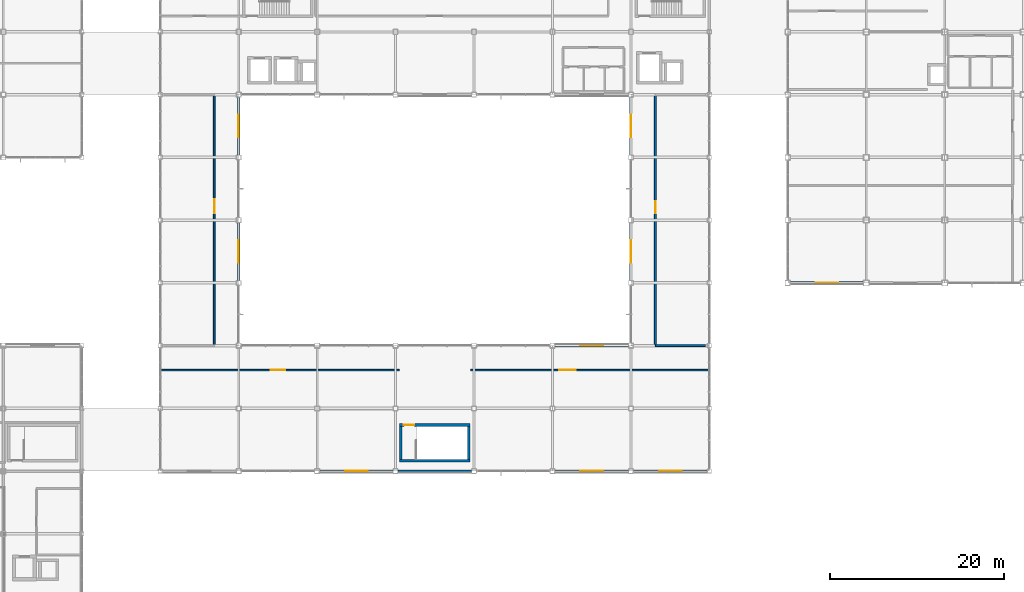
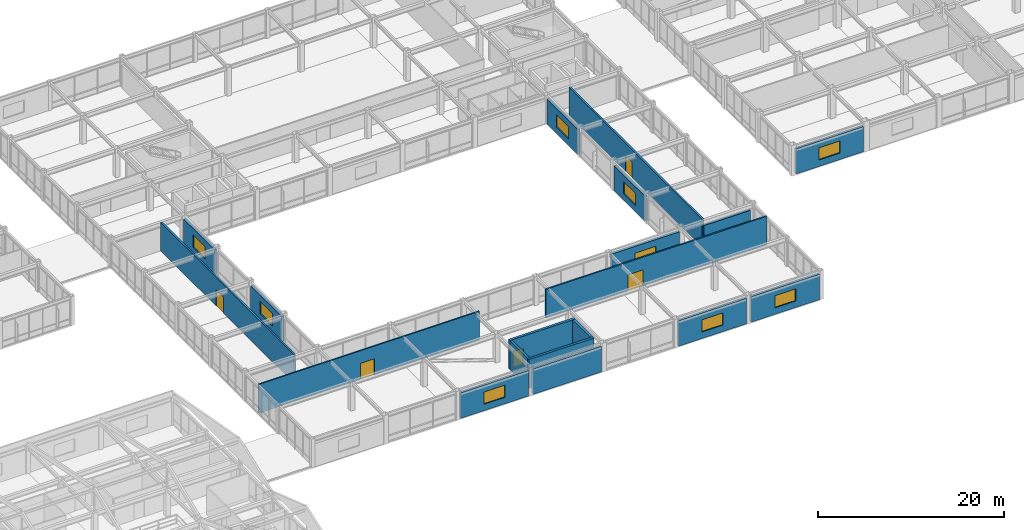
# One storey, part 94 of 113: 19 walls, 9 windows, 5 doors, 14 openings.
"""IFC4 building model written with IfcOpenShell, lengths in metres."""

from ifc_helpers import new_model, si_unit, direction, frame, frame_2d, origin, place, context, subcontext, project, spatial, rectangle, extrude, material, layer, layer_set, type_object, element, fill, save


model = new_model("IFC4")

# Units and contexts
model_context = context("Model", 3, precision=1e-05, world=origin(), true_north=direction((0.0, 1.0)))
body_context = subcontext(model_context, "Body", "Model", "MODEL_VIEW")
ifc_project = project(units=[si_unit("LENGTHUNIT", "METRE"), si_unit("AREAUNIT", "SQUARE_METRE"), si_unit("VOLUMEUNIT", "CUBIC_METRE"), si_unit("PLANEANGLEUNIT", "RADIAN"), si_unit("MASSUNIT", "GRAM", prefix="KILO")], contexts=[model_context])

# Site, building, storey
site_placement = place(None, origin())
site = spatial("IfcSite", under=ifc_project, at=site_placement, CompositionType="ELEMENT")
building_placement = place(site_placement, origin())
building = spatial("IfcBuilding", under=site, at=building_placement, Name="Kazanami Central Library", CompositionType="ELEMENT")
storey_placement = place(building_placement, frame((0.0, 0.0, 8.800048828125)))
storey = spatial("IfcBuildingStorey", under=building, at=storey_placement, Name="L03", CompositionType="ELEMENT", Elevation=8.800048828125)

# Wall, opening, window
ifc_material_1 = material(Name="Concrete Fc36 (36 MPa)", Category="concrete")
ifc_layer_1 = layer(ifc_material_1, 0.219970703125, Name="Concrete Fc36 (36 MPa)")
ifc_material_2 = material(Name="Extruded Polystyrene XPS", Category="earth")
ifc_layer_2 = layer(ifc_material_2, 0.050048828125, Name="Extruded Polystyrene XPS")
ifc_material_3 = material(Name="Honed Inada Granite", Category="masonry")
ifc_layer_3 = layer(ifc_material_3, 0.030029296875, Name="Honed Inada Granite")
ifc_layer_set_1 = layer_set([ifc_layer_1, ifc_layer_2, ifc_layer_3], Name="Concrete Fc36 (36 MPa)")
wall_type_1 = type_object("IfcWallType", Name="WAL-EW-300", PredefinedType="STANDARD", material=ifc_layer_set_1)
wall_1_placement = place(storey_placement, frame((54.0, 50.125, 0.0), z_axis=(0.0, 0.0, 1.0), x_axis=(0.0, -1.0, 0.0)))
wall_1 = element("IfcWall", 1, at=wall_1_placement, inside=storey, type_object=wall_type_1, Name="Exterior Facade Wall EW-300 L03 E-7-06", PredefinedType="STANDARD", context=body_context, shape_type="SweptSolid", body=[
    extrude(rectangle(XDim=6.64990234375, YDim=0.300048828125, at=frame_2d((3.324951171875, 0.0))), origin(), (0.0, 0.0, 1.0), 3.294921875),
])
opening_1_placement = place(wall_1_placement, frame((2.02490234375, 0.0, 0.85009765625)))
opening_1 = element("IfcOpeningElement", 2, at=opening_1_placement, cuts=wall_1, Name="Opening WN-13", PredefinedType="OPENING", context=body_context, shape_type="SweptSolid", body=[
    extrude(rectangle(XDim=2.60009765625, YDim=1.60009765625, at=frame_2d((1.300048828125, 0.800048828125))), frame((0.0, 0.162109375, 0.0), z_axis=(0.0, -1.0, 0.0), x_axis=(1.0, 0.0, 0.0)), (0.0, 0.0, 1.0), 0.323974609375),
])
ifc_material_4 = material(Name="Low-E Insulated Triple Glass", Category="glass")
window_type = type_object("IfcWindowType", Name="WIN-WN-13", PartitioningType="DOUBLE_PANEL_VERTICAL", PredefinedType="WINDOW", material=ifc_material_4)
window_1_placement = place(opening_1_placement, origin())
window_1 = element("IfcWindow", 3, at=window_1_placement, inside=storey, type_object=window_type, Name="Facade Window WN-13 L03 E-7-06", OverallHeight=1.60009765625, OverallWidth=2.60009765625, PartitioningType="DOUBLE_PANEL_VERTICAL", PredefinedType="WINDOW", context=body_context, shape_type="SweptSolid", body=[
    extrude(rectangle(XDim=2.60009765625, YDim=1.60009765625, at=frame_2d((1.300048828125, 0.800048828125))), frame((0.0, 0.030029296875, 0.0), z_axis=(0.0, -1.0, 0.0), x_axis=(1.0, 0.0, 0.0)), (0.0, 0.0, 1.0), 0.06005859375),
])
fill(opening_1, window_1)

wall_2_placement = place(storey_placement, frame((54.0, 64.52490234375, 0.0), z_axis=(0.0, 0.0, 1.0), x_axis=(0.0, -1.0, 0.0)))
wall_2 = element("IfcWall", 4, at=wall_2_placement, inside=storey, type_object=wall_type_1, Name="Exterior Facade Wall EW-300 L03 E-7-08", PredefinedType="STANDARD", context=body_context, shape_type="SweptSolid", body=[
    extrude(rectangle(XDim=6.64990234375, YDim=0.300048828125, at=frame_2d((3.324951171875, 0.0))), origin(), (0.0, 0.0, 1.0), 3.294921875),
])
opening_2_placement = place(wall_2_placement, frame((2.02490234375, 0.0, 0.85009765625)))
opening_2 = element("IfcOpeningElement", 5, at=opening_2_placement, cuts=wall_2, Name="Opening WN-13", PredefinedType="OPENING", context=body_context, shape_type="SweptSolid", body=[
    extrude(rectangle(XDim=2.60009765625, YDim=1.60009765625, at=frame_2d((1.300048828125, 0.800048828125))), frame((0.0, 0.162109375, 0.0), z_axis=(0.0, -1.0, 0.0), x_axis=(1.0, 0.0, 0.0)), (0.0, 0.0, 1.0), 0.323974609375),
])
window_2_placement = place(opening_2_placement, origin())
window_2 = element("IfcWindow", 6, at=window_2_placement, inside=storey, type_object=window_type, Name="Facade Window WN-13 L03 E-7-08", OverallHeight=1.60009765625, OverallWidth=2.60009765625, PartitioningType="DOUBLE_PANEL_VERTICAL", PredefinedType="WINDOW", context=body_context, shape_type="SweptSolid", body=[
    extrude(rectangle(XDim=2.60009765625, YDim=1.60009765625, at=frame_2d((1.300048828125, 0.800048828125))), frame((0.0, 0.030029296875, 0.0), z_axis=(0.0, -1.0, 0.0), x_axis=(1.0, 0.0, 0.0)), (0.0, 0.0, 1.0), 0.06005859375),
])
fill(opening_2, window_2)

wall_3_placement = place(storey_placement, frame((99.0, 43.47509765625, 0.0), z_axis=(0.0, 0.0, 1.0), x_axis=(0.0, 1.0, 0.0)))
wall_3 = element("IfcWall", 7, at=wall_3_placement, inside=storey, type_object=wall_type_1, Name="Exterior Facade Wall EW-300 L03 W-12-06", PredefinedType="STANDARD", context=body_context, shape_type="SweptSolid", body=[
    extrude(rectangle(XDim=6.64990234375, YDim=0.300048828125, at=frame_2d((3.324951171875, 0.0))), origin(), (0.0, 0.0, 1.0), 3.294921875),
])
opening_3_placement = place(wall_3_placement, frame((2.02490234375, 0.0, 0.85009765625)))
opening_3 = element("IfcOpeningElement", 8, at=opening_3_placement, cuts=wall_3, Name="Opening WN-13", PredefinedType="OPENING", context=body_context, shape_type="SweptSolid", body=[
    extrude(rectangle(XDim=2.60009765625, YDim=1.60009765625, at=frame_2d((1.300048828125, 0.800048828125))), frame((0.0, 0.162109375, 0.0), z_axis=(0.0, -1.0, 0.0), x_axis=(1.0, 0.0, 0.0)), (0.0, 0.0, 1.0), 0.323974609375),
])
window_3_placement = place(opening_3_placement, origin())
window_3 = element("IfcWindow", 9, at=window_3_placement, inside=storey, type_object=window_type, Name="Facade Window WN-13 L03 W-12-06", OverallHeight=1.60009765625, OverallWidth=2.60009765625, PartitioningType="DOUBLE_PANEL_VERTICAL", PredefinedType="WINDOW", context=body_context, shape_type="SweptSolid", body=[
    extrude(rectangle(XDim=2.60009765625, YDim=1.60009765625, at=frame_2d((1.300048828125, 0.800048828125))), frame((0.0, 0.030029296875, 0.0), z_axis=(0.0, -1.0, 0.0), x_axis=(1.0, 0.0, 0.0)), (0.0, 0.0, 1.0), 0.06005859375),
])
fill(opening_3, window_3)

wall_4_placement = place(storey_placement, frame((99.0, 57.875, 0.0), z_axis=(0.0, 0.0, 1.0), x_axis=(0.0, 1.0, 0.0)))
wall_4 = element("IfcWall", 10, at=wall_4_placement, inside=storey, type_object=wall_type_1, Name="Exterior Facade Wall EW-300 L03 W-12-08", PredefinedType="STANDARD", context=body_context, shape_type="SweptSolid", body=[
    extrude(rectangle(XDim=6.64990234375, YDim=0.300048828125, at=frame_2d((3.324951171875, 0.0))), origin(), (0.0, 0.0, 1.0), 3.294921875),
])
opening_4_placement = place(wall_4_placement, frame((2.02490234375, 0.0, 0.85009765625)))
opening_4 = element("IfcOpeningElement", 11, at=opening_4_placement, cuts=wall_4, Name="Opening WN-13", PredefinedType="OPENING", context=body_context, shape_type="SweptSolid", body=[
    extrude(rectangle(XDim=2.60009765625, YDim=1.60009765625, at=frame_2d((1.300048828125, 0.800048828125))), frame((0.0, 0.162109375, 0.0), z_axis=(0.0, -1.0, 0.0), x_axis=(1.0, 0.0, 0.0)), (0.0, 0.0, 1.0), 0.323974609375),
])
window_4_placement = place(opening_4_placement, origin())
window_4 = element("IfcWindow", 12, at=window_4_placement, inside=storey, type_object=window_type, Name="Facade Window WN-13 L03 W-12-08", OverallHeight=1.60009765625, OverallWidth=2.60009765625, PartitioningType="DOUBLE_PANEL_VERTICAL", PredefinedType="WINDOW", context=body_context, shape_type="SweptSolid", body=[
    extrude(rectangle(XDim=2.60009765625, YDim=1.60009765625, at=frame_2d((1.300048828125, 0.800048828125))), frame((0.0, 0.030029296875, 0.0), z_axis=(0.0, -1.0, 0.0), x_axis=(1.0, 0.0, 0.0)), (0.0, 0.0, 1.0), 0.06005859375),
])
fill(opening_4, window_4)

ifc_layer_4 = layer(ifc_material_1, 0.239990234375, Name="Concrete Fc36 (36 MPa)")
ifc_layer_5 = layer(ifc_material_2, 0.050048828125, Name="Extruded Polystyrene XPS")
ifc_layer_6 = layer(ifc_material_3, 0.030029296875, Name="Honed Inada Granite")
ifc_layer_set_2 = layer_set([ifc_layer_4, ifc_layer_5, ifc_layer_6], Name="Concrete Fc36 (36 MPa)")
wall_type_2 = type_object("IfcWallType", Name="WAL-EW-320", PredefinedType="STANDARD", material=ifc_layer_set_2)
wall_5_placement = place(storey_placement, frame((63.27490234375, 21.60009765625, 0.0), z_axis=(0.0, 0.0, 1.0), x_axis=(1.0, 0.0, 0.0)))
wall_5 = element("IfcWall", 13, at=wall_5_placement, inside=storey, type_object=wall_type_2, Name="Exterior Facade Wall EW-320 L03 S-D-07", PredefinedType="STANDARD", context=body_context, shape_type="SweptSolid", body=[
    extrude(rectangle(XDim=8.4501953125, YDim=0.320068359375, at=frame_2d((4.22509765625, 0.0))), origin(), (0.0, 0.0, 1.0), 3.329833984375),
])
opening_5_placement = place(wall_5_placement, frame((2.925048828125, 0.0, 0.85009765625)))
opening_5 = element("IfcOpeningElement", 14, at=opening_5_placement, cuts=wall_5, Name="Opening WN-13", PredefinedType="OPENING", context=body_context, shape_type="SweptSolid", body=[
    extrude(rectangle(XDim=2.60009765625, YDim=1.60009765625, at=frame_2d((1.300048828125, 0.800048828125))), frame((0.0, 0.171875, 0.0), z_axis=(0.0, -1.0, 0.0), x_axis=(1.0, 0.0, 0.0)), (0.0, 0.0, 1.0), 0.343994140625),
])
window_5_placement = place(opening_5_placement, origin())
window_5 = element("IfcWindow", 15, at=window_5_placement, inside=storey, type_object=window_type, Name="Facade Window WN-13 L03 S-D-07", OverallHeight=1.60009765625, OverallWidth=2.60009765625, PartitioningType="DOUBLE_PANEL_VERTICAL", PredefinedType="WINDOW", context=body_context, shape_type="SweptSolid", body=[
    extrude(rectangle(XDim=2.60009765625, YDim=1.60009765625, at=frame_2d((1.300048828125, 0.800048828125))), frame((0.0, 0.030029296875, 0.0), z_axis=(0.0, -1.0, 0.0), x_axis=(1.0, 0.0, 0.0)), (0.0, 0.0, 1.0), 0.06005859375),
])
fill(opening_5, window_5)

# Wall
wall_6_placement = place(storey_placement, frame((72.27490234375, 21.60009765625, 0.0), z_axis=(0.0, 0.0, 1.0), x_axis=(1.0, 0.0, 0.0)))
element("IfcWall", 16, at=wall_6_placement, inside=storey, type_object=wall_type_2, Name="Exterior Facade Wall EW-320 L03 S-D-08", PredefinedType="STANDARD", context=body_context, shape_type="SweptSolid", body=[
    extrude(rectangle(XDim=8.4501953125, YDim=0.320068359375, at=frame_2d((4.22509765625, 0.0))), origin(), (0.0, 0.0, 1.0), 3.329833984375),
])

# Wall, opening, window
wall_7_placement = place(storey_placement, frame((90.27490234375, 21.60009765625, 0.0), z_axis=(0.0, 0.0, 1.0), x_axis=(1.0, 0.0, 0.0)))
wall_7 = element("IfcWall", 17, at=wall_7_placement, inside=storey, type_object=wall_type_2, Name="Exterior Facade Wall EW-320 L03 S-D-10", PredefinedType="STANDARD", context=body_context, shape_type="SweptSolid", body=[
    extrude(rectangle(XDim=8.4501953125, YDim=0.320068359375, at=frame_2d((4.22509765625, 0.0))), origin(), (0.0, 0.0, 1.0), 3.329833984375),
])
opening_6_placement = place(wall_7_placement, frame((2.925048828125, 0.0, 0.85009765625)))
opening_6 = element("IfcOpeningElement", 18, at=opening_6_placement, cuts=wall_7, Name="Opening WN-13", PredefinedType="OPENING", context=body_context, shape_type="SweptSolid", body=[
    extrude(rectangle(XDim=2.60009765625, YDim=1.60009765625, at=frame_2d((1.300048828125, 0.800048828125))), frame((0.0, 0.171875, 0.0), z_axis=(0.0, -1.0, 0.0), x_axis=(1.0, 0.0, 0.0)), (0.0, 0.0, 1.0), 0.343994140625),
])
window_6_placement = place(opening_6_placement, origin())
window_6 = element("IfcWindow", 19, at=window_6_placement, inside=storey, type_object=window_type, Name="Facade Window WN-13 L03 S-D-10", OverallHeight=1.60009765625, OverallWidth=2.60009765625, PartitioningType="DOUBLE_PANEL_VERTICAL", PredefinedType="WINDOW", context=body_context, shape_type="SweptSolid", body=[
    extrude(rectangle(XDim=2.60009765625, YDim=1.60009765625, at=frame_2d((1.300048828125, 0.800048828125))), frame((0.0, 0.030029296875, 0.0), z_axis=(0.0, -1.0, 0.0), x_axis=(1.0, 0.0, 0.0)), (0.0, 0.0, 1.0), 0.06005859375),
])
fill(opening_6, window_6)

wall_8_placement = place(storey_placement, frame((99.27490234375, 21.60009765625, 0.0), z_axis=(0.0, 0.0, 1.0), x_axis=(1.0, 0.0, 0.0)))
wall_8 = element("IfcWall", 20, at=wall_8_placement, inside=storey, type_object=wall_type_2, Name="Exterior Facade Wall EW-320 L03 S-D-11", PredefinedType="STANDARD", context=body_context, shape_type="SweptSolid", body=[
    extrude(rectangle(XDim=8.5, YDim=0.320068359375, at=frame_2d((4.25, 0.0))), origin(), (0.0, 0.0, 1.0), 3.329833984375),
])
opening_7_placement = place(wall_8_placement, frame((2.949951171875, 0.0, 0.85009765625)))
opening_7 = element("IfcOpeningElement", 21, at=opening_7_placement, cuts=wall_8, Name="Opening WN-13", PredefinedType="OPENING", context=body_context, shape_type="SweptSolid", body=[
    extrude(rectangle(XDim=2.60009765625, YDim=1.60009765625, at=frame_2d((1.300048828125, 0.800048828125))), frame((0.0, 0.171875, 0.0), z_axis=(0.0, -1.0, 0.0), x_axis=(1.0, 0.0, 0.0)), (0.0, 0.0, 1.0), 0.343994140625),
])
window_7_placement = place(opening_7_placement, origin())
window_7 = element("IfcWindow", 22, at=window_7_placement, inside=storey, type_object=window_type, Name="Facade Window WN-13 L03 S-D-11", OverallHeight=1.60009765625, OverallWidth=2.60009765625, PartitioningType="DOUBLE_PANEL_VERTICAL", PredefinedType="WINDOW", context=body_context, shape_type="SweptSolid", body=[
    extrude(rectangle(XDim=2.60009765625, YDim=1.60009765625, at=frame_2d((1.300048828125, 0.800048828125))), frame((0.0, 0.030029296875, 0.0), z_axis=(0.0, -1.0, 0.0), x_axis=(1.0, 0.0, 0.0)), (0.0, 0.0, 1.0), 0.06005859375),
])
fill(opening_7, window_7)

wall_9_placement = place(storey_placement, frame((98.72509765625, 36.0, 0.0), z_axis=(0.0, 0.0, 1.0), x_axis=(-1.0, 0.0, 0.0)))
wall_9 = element("IfcWall", 23, at=wall_9_placement, inside=storey, type_object=wall_type_2, Name="Exterior Facade Wall EW-320 L03 N-F-10", PredefinedType="STANDARD", context=body_context, shape_type="SweptSolid", body=[
    extrude(rectangle(XDim=8.4501953125, YDim=0.320068359375, at=frame_2d((4.22509765625, 0.0))), origin(), (0.0, 0.0, 1.0), 3.329833984375),
])
opening_8_placement = place(wall_9_placement, frame((2.925048828125, 0.0, 0.85009765625)))
opening_8 = element("IfcOpeningElement", 24, at=opening_8_placement, cuts=wall_9, Name="Opening WN-13", PredefinedType="OPENING", context=body_context, shape_type="SweptSolid", body=[
    extrude(rectangle(XDim=2.60009765625, YDim=1.60009765625, at=frame_2d((1.300048828125, 0.800048828125))), frame((0.0, 0.171875, 0.0), z_axis=(0.0, -1.0, 0.0), x_axis=(1.0, 0.0, 0.0)), (0.0, 0.0, 1.0), 0.343994140625),
])
window_8_placement = place(opening_8_placement, origin())
window_8 = element("IfcWindow", 25, at=window_8_placement, inside=storey, type_object=window_type, Name="Facade Window WN-13 L03 N-F-10", OverallHeight=1.60009765625, OverallWidth=2.60009765625, PartitioningType="DOUBLE_PANEL_VERTICAL", PredefinedType="WINDOW", context=body_context, shape_type="SweptSolid", body=[
    extrude(rectangle(XDim=2.60009765625, YDim=1.60009765625, at=frame_2d((1.300048828125, 0.800048828125))), frame((0.0, 0.030029296875, 0.0), z_axis=(0.0, -1.0, 0.0), x_axis=(1.0, 0.0, 0.0)), (0.0, 0.0, 1.0), 0.06005859375),
])
fill(opening_8, window_8)

wall_10_placement = place(storey_placement, frame((117.300048828125, 43.199951171875, 0.0), z_axis=(0.0, 0.0, 1.0), x_axis=(1.0, 0.0, 0.0)))
wall_10 = element("IfcWall", 26, at=wall_10_placement, inside=storey, type_object=wall_type_2, Name="Exterior Facade Wall EW-320 L03 S-G-13", PredefinedType="STANDARD", context=body_context, shape_type="SweptSolid", body=[
    extrude(rectangle(XDim=8.375, YDim=0.320068359375, at=frame_2d((4.1875, 0.0))), origin(), (0.0, 0.0, 1.0), 3.294921875),
])
opening_9_placement = place(wall_10_placement, frame((2.887451171875, 0.0, 0.85009765625)))
opening_9 = element("IfcOpeningElement", 27, at=opening_9_placement, cuts=wall_10, Name="Opening WN-13", PredefinedType="OPENING", context=body_context, shape_type="SweptSolid", body=[
    extrude(rectangle(XDim=2.60009765625, YDim=1.60009765625, at=frame_2d((1.300048828125, 0.800048828125))), frame((0.0, 0.171875, 0.0), z_axis=(0.0, -1.0, 0.0), x_axis=(1.0, 0.0, 0.0)), (0.0, 0.0, 1.0), 0.343994140625),
])
window_9_placement = place(opening_9_placement, origin())
window_9 = element("IfcWindow", 28, at=window_9_placement, inside=storey, type_object=window_type, Name="Facade Window WN-13 L03 S-G-13", OverallHeight=1.60009765625, OverallWidth=2.60009765625, PartitioningType="DOUBLE_PANEL_VERTICAL", PredefinedType="WINDOW", context=body_context, shape_type="SweptSolid", body=[
    extrude(rectangle(XDim=2.60009765625, YDim=1.60009765625, at=frame_2d((1.300048828125, 0.800048828125))), frame((0.0, 0.030029296875, 0.0), z_axis=(0.0, -1.0, 0.0), x_axis=(1.0, 0.0, 0.0)), (0.0, 0.0, 1.0), 0.06005859375),
])
fill(opening_9, window_9)

# Wall, opening, door
ifc_material_5 = material(Name="Fire-Resistant Gypsum Board GB-F", Category="gypsum")
ifc_layer_7 = layer(ifc_material_5, 0.1650390625, Name="Fire-Resistant Gypsum Board GB-F")
ifc_layer_set_3 = layer_set([ifc_layer_7], Name="Fire-Resistant Gypsum Board GB-F")
wall_type_3 = type_object("IfcWallType", Name="WAL-FW-165", PredefinedType="PARTITIONING", material=ifc_layer_set_3)
wall_11_placement = place(storey_placement, frame((45.034912109375, 33.199951171875, 0.0), z_axis=(0.0, 0.0, 1.0), x_axis=(1.0, 0.0, 0.0)))
wall_11 = element("IfcWall", 29, at=wall_11_placement, inside=storey, type_object=wall_type_3, Name="Interior Partition FW-165 L03 RM-25 (North)", PredefinedType="PARTITIONING", context=body_context, shape_type="SweptSolid", body=[
    extrude(rectangle(XDim=27.364990234375, YDim=0.1650390625, at=frame_2d((13.6826171875, 0.0))), origin(), (0.0, 0.0, 1.0), 3.780029296875),
])
opening_10_placement = place(wall_11_placement, frame((12.614990234375, 0.0, 0.0)))
opening_10 = element("IfcOpeningElement", 30, at=opening_10_placement, cuts=wall_11, Name="Opening FD30-4", PredefinedType="OPENING", context=body_context, shape_type="SweptSolid", body=[
    extrude(rectangle(XDim=1.699951171875, YDim=2.1201171875, at=frame_2d((0.85009765625, 1.06005859375))), frame((0.0, 0.094482421875, 0.0), z_axis=(0.0, -1.0, 0.0), x_axis=(1.0, 0.0, 0.0)), (0.0, 0.0, 1.0), 0.18896484375),
])
ifc_material_6 = material(Name="Cold-Rolled Steel SPCC", Category="steel")
door_type_1 = type_object("IfcDoorType", Name="DOR-FD30-4", OperationType="DOUBLE_DOOR_SINGLE_SWING", PredefinedType="DOOR", material=ifc_material_6)
door_1_placement = place(opening_10_placement, origin())
door_1 = element("IfcDoor", 31, at=door_1_placement, inside=storey, type_object=door_type_1, Name="Interior Door FD30-4 L03 RM-25", OperationType="DOUBLE_DOOR_SINGLE_SWING", OverallHeight=2.1201171875, OverallWidth=1.699951171875, PredefinedType="DOOR", context=body_context, shape_type="SweptSolid", body=[
    extrude(rectangle(XDim=1.699951171875, YDim=2.1201171875, at=frame_2d((0.85009765625, 1.06005859375))), frame((0.0, 0.02490234375, 0.0), z_axis=(0.0, -1.0, 0.0), x_axis=(1.0, 0.0, 0.0)), (0.0, 0.0, 1.0), 0.050048828125),
])
fill(opening_10, door_1)

ifc_layer_8 = layer(ifc_material_5, 0.179931640625, Name="Fire-Resistant Gypsum Board GB-F")
ifc_layer_set_4 = layer_set([ifc_layer_8], Name="Fire-Resistant Gypsum Board GB-F")
wall_type_4 = type_object("IfcWallType", Name="WAL-FW-180", PredefinedType="PARTITIONING", material=ifc_layer_set_4)
wall_12_placement = place(storey_placement, frame((80.60009765625, 33.199951171875, 0.0), z_axis=(0.0, 0.0, 1.0), x_axis=(1.0, 0.0, 0.0)))
wall_12 = element("IfcWall", 32, at=wall_12_placement, inside=storey, type_object=wall_type_4, Name="Interior Partition FW-180 L03 RM-26 (North)", PredefinedType="PARTITIONING", context=body_context, shape_type="SweptSolid", body=[
    extrude(rectangle(XDim=27.364990234375, YDim=0.179931640625, at=frame_2d((13.6826171875, 0.0))), origin(), (0.0, 0.0, 1.0), 3.780029296875),
])
opening_11_placement = place(wall_12_placement, frame((10.199951171875, 0.0, 0.0)))
opening_11 = element("IfcOpeningElement", 33, at=opening_11_placement, cuts=wall_12, Name="Opening FD30-5", PredefinedType="OPENING", context=body_context, shape_type="SweptSolid", body=[
    extrude(rectangle(XDim=1.85009765625, YDim=2.1201171875, at=frame_2d((0.925048828125, 1.06005859375))), frame((0.0, 0.10205078125, 0.0), z_axis=(0.0, -1.0, 0.0), x_axis=(1.0, 0.0, 0.0)), (0.0, 0.0, 1.0), 0.203857421875),
])
door_type_2 = type_object("IfcDoorType", Name="DOR-FD30-5", OperationType="DOUBLE_DOOR_SINGLE_SWING", PredefinedType="DOOR", material=ifc_material_6)
door_2_placement = place(opening_11_placement, origin())
door_2 = element("IfcDoor", 34, at=door_2_placement, inside=storey, type_object=door_type_2, Name="Interior Door FD30-5 L03 RM-26", OperationType="DOUBLE_DOOR_SINGLE_SWING", OverallHeight=2.1201171875, OverallWidth=1.85009765625, PredefinedType="DOOR", context=body_context, shape_type="SweptSolid", body=[
    extrude(rectangle(XDim=1.85009765625, YDim=2.1201171875, at=frame_2d((0.925048828125, 1.06005859375))), frame((0.0, 0.02490234375, 0.0), z_axis=(0.0, -1.0, 0.0), x_axis=(1.0, 0.0, 0.0)), (0.0, 0.0, 1.0), 0.050048828125),
])
fill(opening_11, door_2)

ifc_layer_9 = layer(ifc_material_5, 0.199951171875, Name="Fire-Resistant Gypsum Board GB-F")
ifc_layer_set_5 = layer_set([ifc_layer_9], Name="Fire-Resistant Gypsum Board GB-F")
wall_type_5 = type_object("IfcWallType", Name="WAL-FW-200", PredefinedType="PARTITIONING", material=ifc_layer_set_5)
wall_13_placement = place(storey_placement, frame((51.199951171875, 36.090087890625, 0.0), z_axis=(0.0, 0.0, 1.0), x_axis=(0.0, 1.0, 0.0)))
wall_13 = element("IfcWall", 35, at=wall_13_placement, inside=storey, type_object=wall_type_5, Name="Interior Partition FW-200 L03 RM-27 (East)", PredefinedType="PARTITIONING", context=body_context, shape_type="SweptSolid", body=[
    extrude(rectangle(XDim=28.619873046875, YDim=0.199951171875, at=frame_2d((14.31005859375, 0.0))), origin(), (0.0, 0.0, 1.0), 3.744873046875),
])
opening_12_placement = place(wall_13_placement, frame((15.110107421875, 0.0, 0.0)))
opening_12 = element("IfcOpeningElement", 36, at=opening_12_placement, cuts=wall_13, Name="Opening FD60-4", PredefinedType="OPENING", context=body_context, shape_type="SweptSolid", body=[
    extrude(rectangle(XDim=1.60009765625, YDim=2.1201171875, at=frame_2d((0.800048828125, 1.06005859375))), frame((0.0, 0.11181640625, 0.0), z_axis=(0.0, -1.0, 0.0), x_axis=(1.0, 0.0, 0.0)), (0.0, 0.0, 1.0), 0.223876953125),
])
door_type_3 = type_object("IfcDoorType", Name="DOR-FD60-4", OperationType="DOUBLE_DOOR_SINGLE_SWING", PredefinedType="DOOR", material=ifc_material_6)
door_3_placement = place(opening_12_placement, origin())
door_3 = element("IfcDoor", 37, at=door_3_placement, inside=storey, type_object=door_type_3, Name="Interior Door FD60-4 L03 RM-27", OperationType="DOUBLE_DOOR_SINGLE_SWING", OverallHeight=2.1201171875, OverallWidth=1.60009765625, PredefinedType="DOOR", context=body_context, shape_type="SweptSolid", body=[
    extrude(rectangle(XDim=1.60009765625, YDim=2.1201171875, at=frame_2d((0.800048828125, 1.06005859375))), frame((0.0, 0.02490234375, 0.0), z_axis=(0.0, -1.0, 0.0), x_axis=(1.0, 0.0, 0.0)), (0.0, 0.0, 1.0), 0.050048828125),
])
fill(opening_12, door_3)

# Wall
ifc_layer_10 = layer(ifc_material_5, 0.219970703125, Name="Fire-Resistant Gypsum Board GB-F")
ifc_layer_set_6 = layer_set([ifc_layer_10], Name="Fire-Resistant Gypsum Board GB-F")
wall_type_6 = type_object("IfcWallType", Name="WAL-FW-220", PredefinedType="PARTITIONING", material=ifc_layer_set_6)
wall_14_placement = place(storey_placement, frame((101.800048828125, 36.0, 0.0), z_axis=(0.0, 0.0, 1.0), x_axis=(1.0, 0.0, 0.0)))
element("IfcWall", 38, at=wall_14_placement, inside=storey, type_object=wall_type_6, Name="Interior Partition FW-220 L03 RM-28 (South)", PredefinedType="PARTITIONING", context=body_context, shape_type="SweptSolid", body=[
    extrude(rectangle(XDim=5.744873046875, YDim=0.219970703125, at=frame_2d((2.87255859375, 0.0))), origin(), (0.0, 0.0, 1.0), 3.02490234375),
])

# Wall, opening, door
wall_15_placement = place(storey_placement, frame((101.800048828125, 36.090087890625, 0.0), z_axis=(0.0, 0.0, 1.0), x_axis=(0.0, 1.0, 0.0)))
wall_15 = element("IfcWall", 39, at=wall_15_placement, inside=storey, type_object=wall_type_6, Name="Interior Partition FW-220 L03 RM-28 (West)", PredefinedType="PARTITIONING", context=body_context, shape_type="SweptSolid", body=[
    extrude(rectangle(XDim=28.619873046875, YDim=0.219970703125, at=frame_2d((14.31005859375, 0.0))), origin(), (0.0, 0.0, 1.0), 3.744873046875),
])
opening_13_placement = place(wall_15_placement, frame((15.110107421875, 0.0, 0.0)))
opening_13 = element("IfcOpeningElement", 40, at=opening_13_placement, cuts=wall_15, Name="Opening FD60-7", PredefinedType="OPENING", context=body_context, shape_type="SweptSolid", body=[
    extrude(rectangle(XDim=1.35009765625, YDim=2.080078125, at=frame_2d((0.675048828125, 1.0400390625))), frame((0.0, 0.1220703125, 0.0), z_axis=(0.0, -1.0, 0.0), x_axis=(1.0, 0.0, 0.0)), (0.0, 0.0, 1.0), 0.243896484375),
])
door_type_4 = type_object("IfcDoorType", Name="DOR-FD60-7", OperationType="DOUBLE_DOOR_SINGLE_SWING", PredefinedType="DOOR", material=ifc_material_6)
door_4_placement = place(opening_13_placement, origin())
door_4 = element("IfcDoor", 41, at=door_4_placement, inside=storey, type_object=door_type_4, Name="Interior Door FD60-7 L03 RM-28", OperationType="DOUBLE_DOOR_SINGLE_SWING", OverallHeight=2.080078125, OverallWidth=1.35009765625, PredefinedType="DOOR", context=body_context, shape_type="SweptSolid", body=[
    extrude(rectangle(XDim=1.35009765625, YDim=2.080078125, at=frame_2d((0.675048828125, 1.0400390625))), frame((0.0, 0.02490234375, 0.0), z_axis=(0.0, -1.0, 0.0), x_axis=(1.0, 0.0, 0.0)), (0.0, 0.0, 1.0), 0.050048828125),
])
fill(opening_13, door_4)

# Wall
ifc_layer_11 = layer(ifc_material_1, 0.300048828125, Name="Concrete Fc36 (36 MPa)")
ifc_layer_set_7 = layer_set([ifc_layer_11], Name="Concrete Fc36 (36 MPa)")
wall_type_7 = type_object("IfcWallType", Name="WAL-SW-300", PredefinedType="SHEAR", material=ifc_layer_set_7)
wall_16_placement = place(storey_placement, frame((72.449951171875, 22.800048828125, 0.0), z_axis=(0.0, 0.0, 1.0), x_axis=(1.0, 0.0, 0.0)))
element("IfcWall", 42, at=wall_16_placement, inside=storey, type_object=wall_type_7, Name="Stair Core Wall ST-09 South L03", PredefinedType="SHEAR", context=body_context, shape_type="SweptSolid", body=[
    extrude(rectangle(XDim=8.10009765625, YDim=0.300048828125, at=frame_2d((4.050048828125, 0.0))), origin(), (0.0, 0.0, 1.0), 3.780029296875),
])

# Wall, opening, door
wall_17_placement = place(storey_placement, frame((72.449951171875, 26.89990234375, 0.0), z_axis=(0.0, 0.0, 1.0), x_axis=(1.0, 0.0, 0.0)))
wall_17 = element("IfcWall", 43, at=wall_17_placement, inside=storey, type_object=wall_type_7, Name="Stair Core Wall ST-09 North L03", PredefinedType="SHEAR", context=body_context, shape_type="SweptSolid", body=[
    extrude(rectangle(XDim=8.10009765625, YDim=0.300048828125, at=frame_2d((4.050048828125, 0.0))), origin(), (0.0, 0.0, 1.0), 3.780029296875),
])
opening_14_placement = place(wall_17_placement, frame((0.5, 0.0, 0.0)))
opening_14 = element("IfcOpeningElement", 44, at=opening_14_placement, cuts=wall_17, Name="Opening FD60-1", PredefinedType="OPENING", context=body_context, shape_type="SweptSolid", body=[
    extrude(rectangle(XDim=1.199951171875, YDim=2.10009765625, at=frame_2d((0.60009765625, 1.050048828125))), frame((0.0, 0.162109375, 0.0), z_axis=(0.0, -1.0, 0.0), x_axis=(1.0, 0.0, 0.0)), (0.0, 0.0, 1.0), 0.323974609375),
])
door_type_5 = type_object("IfcDoorType", Name="DOR-FD60-1", OperationType="NOTDEFINED", PredefinedType="DOOR", material=ifc_material_6)
door_5_placement = place(opening_14_placement, frame((1.199951171875, 0.0, 0.0), z_axis=(0.0, 0.0, 1.0), x_axis=(-1.0, 0.0, 0.0)))
door_5 = element("IfcDoor", 45, at=door_5_placement, inside=storey, type_object=door_type_5, Name="Escape Stair ST-09 Fire Door L03", OperationType="SINGLE_SWING_LEFT", OverallHeight=2.10009765625, OverallWidth=1.199951171875, PredefinedType="DOOR", context=body_context, shape_type="SweptSolid", body=[
    extrude(rectangle(XDim=1.199951171875, YDim=2.10009765625, at=frame_2d((0.60009765625, 1.050048828125))), frame((0.0, 0.02490234375, 0.0), z_axis=(0.0, -1.0, 0.0), x_axis=(1.0, 0.0, 0.0)), (0.0, 0.0, 1.0), 0.050048828125),
])
fill(opening_14, door_5)

# Walls
for number, where, z_axis, x_axis, name in (
    (46, (72.60009765625, 22.949951171875, 0.0), (0.0, 0.0, 1.0), (0.0, 1.0, 0.0), "Stair Core Wall ST-09 West L03"),
    (47, (80.39990234375, 22.949951171875, 0.0), (0.0, 0.0, 1.0), (0.0, 1.0, 0.0), "Stair Core Wall ST-09 East L03"),
):
    element("IfcWall", number, at=place(storey_placement, frame(where, z_axis=z_axis, x_axis=x_axis)), inside=storey, type_object=wall_type_7, Name=name, PredefinedType="SHEAR", context=body_context, shape_type="SweptSolid", body=[
        extrude(rectangle(XDim=3.800048828125, YDim=0.300048828125, at=frame_2d((1.89990234375, 0.0))), origin(), (0.0, 0.0, 1.0), 3.780029296875),
    ])

save(model, "model.ifc")
